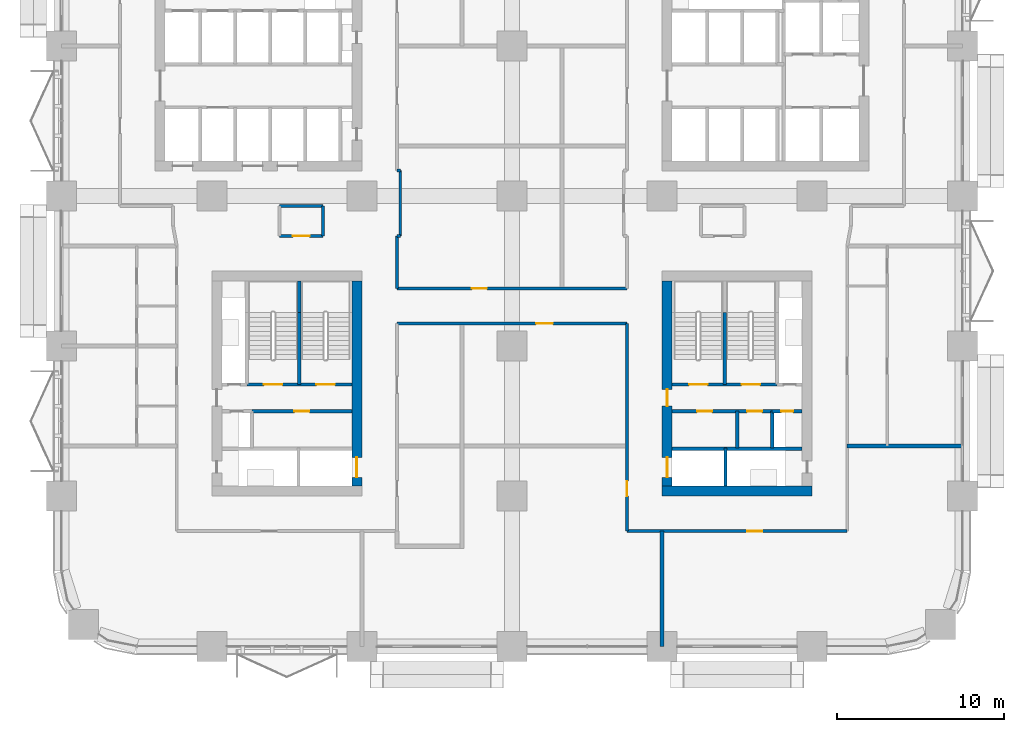
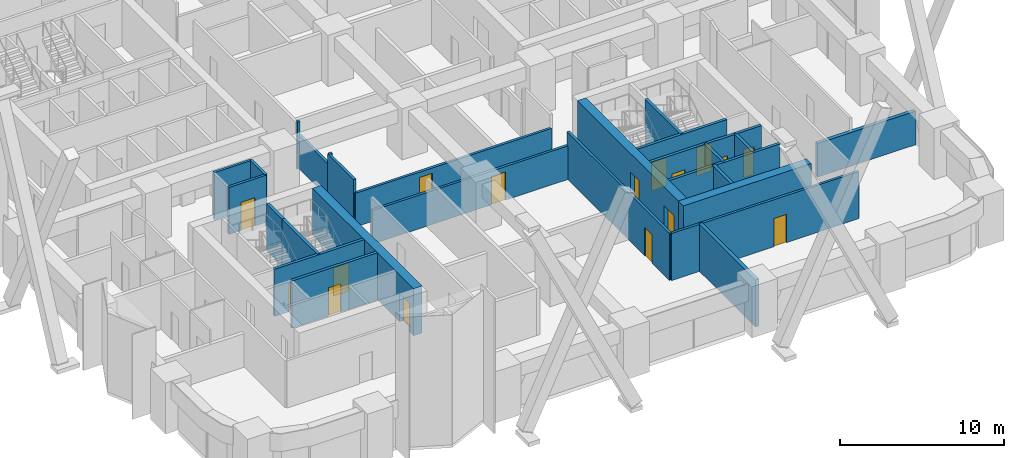
# One storey, part 15 of 23: 28 walls, 16 doors, 16 openings.
"""IFC4 building model written with IfcOpenShell, lengths in metres."""

from ifc_helpers import new_model, si_unit, direction, frame, frame_2d, origin, place, context, subcontext, project, spatial, rectangle, extrude, material, layer, layer_set, type_object, element, fill, save


model = new_model("IFC4")

# Units and contexts
model_context = context("Model", 3, precision=1e-05, world=origin(), true_north=direction((0.0, 1.0)))
body_context = subcontext(model_context, "Body", "Model", "MODEL_VIEW")
ifc_project = project(units=[si_unit("LENGTHUNIT", "METRE"), si_unit("AREAUNIT", "SQUARE_METRE"), si_unit("VOLUMEUNIT", "CUBIC_METRE"), si_unit("PLANEANGLEUNIT", "RADIAN"), si_unit("MASSUNIT", "GRAM", prefix="KILO")], contexts=[model_context])

# Site, building, storey
site_placement = place(None, origin())
site = spatial("IfcSite", under=ifc_project, at=site_placement, CompositionType="ELEMENT")
building_placement = place(site_placement, origin())
building = spatial("IfcBuilding", under=site, at=building_placement, Name="Tessera Arch", CompositionType="ELEMENT")
storey_placement = place(building_placement, frame((0.0, 0.0, 46.199951171875)))
storey = spatial("IfcBuildingStorey", under=building, at=storey_placement, Name="L09", CompositionType="ELEMENT", Elevation=46.199951171875)

# Wall
ifc_material_1 = material(Name="Gypsum board on steel stud", Category="steel")
ifc_layer_1 = layer(ifc_material_1, 0.125)
ifc_layer_set_1 = layer_set([ifc_layer_1], Name="Core partition 125 EI 60")
wall_type_1 = type_object("IfcWallType", Name="Core partition 125 EI 60", PredefinedType="PARTITIONING", material=ifc_layer_set_1)
wall_1_placement = place(storey_placement, frame((40.5, 11.89990234375, 0.0), z_axis=(0.0, 0.0, 1.0), x_axis=(0.0, 1.0, 0.0)))
element("IfcWall", 1, at=wall_1_placement, inside=storey, type_object=wall_type_1, Name="L09 C3 partition wall 4", PredefinedType="PARTITIONING", context=body_context, shape_type="SweptSolid", body=[
    extrude(rectangle(XDim=2.2001953125, YDim=0.199951171875, at=frame_2d((1.10009765625, 0.0))), origin(), (0.0, 0.0, 1.0), 3.5),
])

# Wall, openings, doors
wall_2_placement = place(storey_placement, frame((36.60009765625, 14.10009765625, 0.0), z_axis=(0.0, 0.0, 1.0), x_axis=(1.0, 0.0, 0.0)))
wall_2 = element("IfcWall", 2, at=wall_2_placement, inside=storey, type_object=wall_type_1, Name="L09 C3 partition wall 9", PredefinedType="PARTITIONING", context=body_context, shape_type="SweptSolid", body=[
    extrude(rectangle(XDim=6.0, YDim=0.199951171875, at=frame_2d((3.0, 0.0))), origin(), (0.0, 0.0, 1.0), 3.5),
])
opening_1_placement = place(wall_2_placement, frame((1.5, 0.0, 0.0)))
opening_1 = element("IfcOpeningElement", 3, at=opening_1_placement, cuts=wall_2, Name="Opening L09-C40", PredefinedType="OPENING", context=body_context, shape_type="SweptSolid", body=[
    extrude(rectangle(XDim=0.89990234375, YDim=2.10009765625, at=frame_2d((0.449951171875, 1.050048828125))), frame((0.0, 0.10986328125, 0.0), z_axis=(0.0, -1.0, 0.0), x_axis=(1.0, 0.0, 0.0)), (0.0, 0.0, 1.0), 0.219970703125),
])
opening_2_placement = place(wall_2_placement, frame((4.5, 0.0, 0.0)))
opening_2 = element("IfcOpeningElement", 4, at=opening_2_placement, cuts=wall_2, Name="Opening L09-C41", PredefinedType="OPENING", context=body_context, shape_type="SweptSolid", body=[
    extrude(rectangle(XDim=0.89990234375, YDim=2.10009765625, at=frame_2d((0.449951171875, 1.050048828125))), frame((0.0, 0.10986328125, 0.0), z_axis=(0.0, -1.0, 0.0), x_axis=(1.0, 0.0, 0.0)), (0.0, 0.0, 1.0), 0.219970703125),
])
ifc_material_2 = material(Name="Steel door leaf", Category="steel")
door_type_1 = type_object("IfcDoorType", Name="Store door FD30S 900 x 2100", OperationType="SINGLE_SWING_LEFT", PredefinedType="DOOR", material=ifc_material_2)
door_1_placement = place(opening_1_placement, origin())
door_1 = element("IfcDoor", 5, at=door_1_placement, inside=storey, type_object=door_type_1, Name="L09 C3 door 8 C40 type D09", OperationType="SINGLE_SWING_LEFT", OverallHeight=2.10009765625, OverallWidth=0.89990234375, PredefinedType="DOOR", context=body_context, shape_type="SweptSolid", body=[
    extrude(rectangle(XDim=0.89990234375, YDim=2.10009765625, at=frame_2d((0.449951171875, 1.050048828125))), frame((0.0, 0.02490234375, 0.0), z_axis=(0.0, -1.0, 0.0), x_axis=(1.0, 0.0, 0.0)), (0.0, 0.0, 1.0), 0.050048828125),
])
fill(opening_1, door_1)
door_2_placement = place(opening_2_placement, origin())
door_2 = element("IfcDoor", 6, at=door_2_placement, inside=storey, type_object=door_type_1, Name="L09 C3 door 9 C41 type D09", OperationType="SINGLE_SWING_RIGHT", OverallHeight=2.10009765625, OverallWidth=0.89990234375, PredefinedType="DOOR", context=body_context, shape_type="SweptSolid", body=[
    extrude(rectangle(XDim=0.89990234375, YDim=2.10009765625, at=frame_2d((0.449951171875, 1.050048828125))), frame((0.0, 0.02490234375, 0.0), z_axis=(0.0, -1.0, 0.0), x_axis=(1.0, 0.0, 0.0)), (0.0, 0.0, 1.0), 0.050048828125),
])
fill(opening_2, door_2)

# Wall, opening, door
wall_3_placement = place(storey_placement, frame((11.39990234375, 14.10009765625, 0.0), z_axis=(0.0, 0.0, 1.0), x_axis=(1.0, 0.0, 0.0)))
wall_3 = element("IfcWall", 7, at=wall_3_placement, inside=storey, type_object=wall_type_1, Name="L09 C4 partition wall 8", PredefinedType="PARTITIONING", context=body_context, shape_type="SweptSolid", body=[
    extrude(rectangle(XDim=6.0, YDim=0.199951171875, at=frame_2d((3.0, 0.0))), origin(), (0.0, 0.0, 1.0), 3.5),
])
opening_3_placement = place(wall_3_placement, frame((2.550048828125, 0.0, 0.0)))
opening_3 = element("IfcOpeningElement", 8, at=opening_3_placement, cuts=wall_3, Name="Opening L09-C49", PredefinedType="OPENING", context=body_context, shape_type="SweptSolid", body=[
    extrude(rectangle(XDim=0.89990234375, YDim=2.10009765625, at=frame_2d((0.449951171875, 1.050048828125))), frame((0.0, 0.10986328125, 0.0), z_axis=(0.0, -1.0, 0.0), x_axis=(1.0, 0.0, 0.0)), (0.0, 0.0, 1.0), 0.219970703125),
])
door_3_placement = place(opening_3_placement, origin())
door_3 = element("IfcDoor", 9, at=door_3_placement, inside=storey, type_object=door_type_1, Name="L09 C4 door 8 C49 type D09", OperationType="SINGLE_SWING_RIGHT", OverallHeight=2.10009765625, OverallWidth=0.89990234375, PredefinedType="DOOR", context=body_context, shape_type="SweptSolid", body=[
    extrude(rectangle(XDim=0.89990234375, YDim=2.10009765625, at=frame_2d((0.449951171875, 1.050048828125))), frame((0.0, 0.02490234375, 0.0), z_axis=(0.0, -1.0, 0.0), x_axis=(1.0, 0.0, 0.0)), (0.0, 0.0, 1.0), 0.050048828125),
])
fill(opening_3, door_3)

# Wall
ifc_material_3 = material(Name="Concrete C70/85", Category="concrete")
ifc_layer_2 = layer(ifc_material_3, 0.60009765625)
ifc_layer_set_2 = layer_set([ifc_layer_2], Name="Core shell wall 600 C70-85")
wall_type_2 = type_object("IfcWallType", Name="Core shell wall 600 C70-85", PredefinedType="SHEAR", material=ifc_layer_set_2)
wall_4_placement = place(storey_placement, frame((36.0, 9.300048828125, 0.0), z_axis=(0.0, 0.0, 1.0), x_axis=(1.0, 0.0, 0.0)))
element("IfcWall", 10, at=wall_4_placement, inside=storey, type_object=wall_type_2, Name="L09 C3 core wall S", PredefinedType="SHEAR", context=body_context, shape_type="SweptSolid", body=[
    extrude(rectangle(XDim=9.0, YDim=0.60009765625, at=frame_2d((4.5, 0.0))), origin(), (0.0, 0.0, 1.0), 3.5),
])

# Wall, openings, doors
wall_5_placement = place(storey_placement, frame((36.300048828125, 9.60009765625, 0.0), z_axis=(0.0, 0.0, 1.0), x_axis=(0.0, 1.0, 0.0)))
wall_5 = element("IfcWall", 11, at=wall_5_placement, inside=storey, type_object=wall_type_2, Name="L09 C3 core wall W", PredefinedType="SHEAR", context=body_context, shape_type="SweptSolid", body=[
    extrude(rectangle(XDim=12.2998046875, YDim=0.60009765625, at=frame_2d((6.14990234375, 0.0))), origin(), (0.0, 0.0, 1.0), 3.5),
])
opening_4_placement = place(wall_5_placement, frame((0.52490234375, 0.0, 0.0)))
opening_4 = element("IfcOpeningElement", 12, at=opening_4_placement, cuts=wall_5, Name="Opening L09-C33", PredefinedType="OPENING", context=body_context, shape_type="SweptSolid", body=[
    extrude(rectangle(XDim=1.199951171875, YDim=2.10009765625, at=frame_2d((0.60009765625, 1.050048828125))), frame((0.0, 0.31005859375, 0.0), z_axis=(0.0, -1.0, 0.0), x_axis=(1.0, 0.0, 0.0)), (0.0, 0.0, 1.0), 0.6201171875),
])
opening_5_placement = place(wall_5_placement, frame((4.800048828125, 0.0, 0.0)))
opening_5 = element("IfcOpeningElement", 13, at=opening_5_placement, cuts=wall_5, Name="Opening L09-C39", PredefinedType="OPENING", context=body_context, shape_type="SweptSolid", body=[
    extrude(rectangle(XDim=1.0, YDim=2.10009765625, at=frame_2d((0.5, 1.050048828125))), frame((0.0, 0.31005859375, 0.0), z_axis=(0.0, -1.0, 0.0), x_axis=(1.0, 0.0, 0.0)), (0.0, 0.0, 1.0), 0.6201171875),
])
ifc_material_4 = material(Name="Steel door leaf", Category="steel")
door_type_2 = type_object("IfcDoorType", Name="Corridor door FD60 1000 x 2100", OperationType="SINGLE_SWING_LEFT", PredefinedType="DOOR", material=ifc_material_4)
door_4_placement = place(opening_5_placement, origin())
door_4 = element("IfcDoor", 14, at=door_4_placement, inside=storey, type_object=door_type_2, Name="L09 C3 door 7 C39 type D12", OperationType="SINGLE_SWING_LEFT", OverallHeight=2.10009765625, OverallWidth=1.0, PredefinedType="DOOR", context=body_context, shape_type="SweptSolid", body=[
    extrude(rectangle(XDim=1.0, YDim=2.10009765625, at=frame_2d((0.5, 1.050048828125))), frame((0.0, 0.02490234375, 0.0), z_axis=(0.0, -1.0, 0.0), x_axis=(1.0, 0.0, 0.0)), (0.0, 0.0, 1.0), 0.050048828125),
])
fill(opening_5, door_4)
ifc_material_5 = material(Name="Stainless steel AISI 304", Category="steel")
door_type_3 = type_object("IfcDoorType", Name="Sliding landing door 1200 x 2100", OperationType="SLIDING_TO_LEFT", PredefinedType="DOOR", material=ifc_material_5)
door_5_placement = place(opening_4_placement, origin())
door_5 = element("IfcDoor", 15, at=door_5_placement, inside=storey, type_object=door_type_3, Name="L09 SV1 lift landing door C33 type LD", OperationType="SLIDING_TO_LEFT", OverallHeight=2.10009765625, OverallWidth=1.199951171875, PredefinedType="DOOR", context=body_context, shape_type="SweptSolid", body=[
    extrude(rectangle(XDim=1.199951171875, YDim=2.10009765625, at=frame_2d((0.60009765625, 1.050048828125))), frame((0.0, 0.02490234375, 0.0), z_axis=(0.0, -1.0, 0.0), x_axis=(1.0, 0.0, 0.0)), (0.0, 0.0, 1.0), 0.050048828125),
])
fill(opening_4, door_5)

# Wall, opening, door
wall_6_placement = place(storey_placement, frame((17.699951171875, 9.60009765625, 0.0), z_axis=(0.0, 0.0, 1.0), x_axis=(0.0, 1.0, 0.0)))
wall_6 = element("IfcWall", 16, at=wall_6_placement, inside=storey, type_object=wall_type_2, Name="L09 C4 core wall E", PredefinedType="SHEAR", context=body_context, shape_type="SweptSolid", body=[
    extrude(rectangle(XDim=12.2998046875, YDim=0.60009765625, at=frame_2d((6.14990234375, 0.0))), origin(), (0.0, 0.0, 1.0), 3.5),
])
opening_6_placement = place(wall_6_placement, frame((0.52490234375, 0.0, 0.0)))
opening_6 = element("IfcOpeningElement", 17, at=opening_6_placement, cuts=wall_6, Name="Opening L09-C42", PredefinedType="OPENING", context=body_context, shape_type="SweptSolid", body=[
    extrude(rectangle(XDim=1.199951171875, YDim=2.10009765625, at=frame_2d((0.60009765625, 1.050048828125))), frame((0.0, 0.31005859375, 0.0), z_axis=(0.0, -1.0, 0.0), x_axis=(1.0, 0.0, 0.0)), (0.0, 0.0, 1.0), 0.6201171875),
])
door_6_placement = place(opening_6_placement, origin())
door_6 = element("IfcDoor", 18, at=door_6_placement, inside=storey, type_object=door_type_3, Name="L09 SV3 lift landing door C42 type LD", OperationType="SLIDING_TO_LEFT", OverallHeight=2.10009765625, OverallWidth=1.199951171875, PredefinedType="DOOR", context=body_context, shape_type="SweptSolid", body=[
    extrude(rectangle(XDim=1.199951171875, YDim=2.10009765625, at=frame_2d((0.60009765625, 1.050048828125))), frame((0.0, 0.02490234375, 0.0), z_axis=(0.0, -1.0, 0.0), x_axis=(1.0, 0.0, 0.0)), (0.0, 0.0, 1.0), 0.050048828125),
])
fill(opening_6, door_6)

ifc_material_6 = material(Name="Gypsum board on deep steel stud with mineral wool", Category="steel")
ifc_layer_3 = layer(ifc_material_6, 0.175048828125)
ifc_layer_set_3 = layer_set([ifc_layer_3], Name="Corridor wall 175 EI 60")
wall_type_3 = type_object("IfcWallType", Name="Corridor wall 175 EI 60", PredefinedType="PARTITIONING", material=ifc_layer_set_3)
wall_7_placement = place(storey_placement, frame((33.89990234375, 6.89990234375, 0.0), z_axis=(0.0, 0.0, 1.0), x_axis=(1.0, 0.0, 0.0)))
wall_7 = element("IfcWall", 19, at=wall_7_placement, inside=storey, type_object=wall_type_3, Name="L09 partition 2", PredefinedType="PARTITIONING", context=body_context, shape_type="SweptSolid", body=[
    extrude(rectangle(XDim=13.2001953125, YDim=0.175048828125, at=frame_2d((6.60009765625, 0.0))), origin(), (0.0, 0.0, 1.0), 3.5),
])
opening_7_placement = place(wall_7_placement, frame((7.199951171875, 0.0, 0.0)))
opening_7 = element("IfcOpeningElement", 20, at=opening_7_placement, cuts=wall_7, Name="Opening L09-D002", PredefinedType="OPENING", context=body_context, shape_type="SweptSolid", body=[
    extrude(rectangle(XDim=0.89990234375, YDim=2.10009765625, at=frame_2d((0.449951171875, 1.050048828125))), frame((0.0, 0.097412109375, 0.0), z_axis=(0.0, -1.0, 0.0), x_axis=(1.0, 0.0, 0.0)), (0.0, 0.0, 1.0), 0.195068359375),
])
ifc_material_7 = material(Name="Timber door leaf", Category="wood")
door_type_4 = type_object("IfcDoorType", Name="Room door 900 x 2100", OperationType="SINGLE_SWING_LEFT", PredefinedType="DOOR", material=ifc_material_7)
door_7_placement = place(opening_7_placement, origin())
door_7 = element("IfcDoor", 21, at=door_7_placement, inside=storey, type_object=door_type_4, Name="L09 door D002 type D01", OperationType="SINGLE_SWING_LEFT", OverallHeight=2.10009765625, OverallWidth=0.89990234375, PredefinedType="DOOR", context=body_context, shape_type="SweptSolid", body=[
    extrude(rectangle(XDim=0.89990234375, YDim=2.10009765625, at=frame_2d((0.449951171875, 1.050048828125))), frame((0.0, 0.02490234375, 0.0), z_axis=(0.0, -1.0, 0.0), x_axis=(1.0, 0.0, 0.0)), (0.0, 0.0, 1.0), 0.050048828125),
])
fill(opening_7, door_7)

wall_8_placement = place(storey_placement, frame((20.10009765625, 19.35009765625, 0.0), z_axis=(0.0, 0.0, 1.0), x_axis=(1.0, 0.0, 0.0)))
wall_8 = element("IfcWall", 22, at=wall_8_placement, inside=storey, type_object=wall_type_3, Name="L09 partition 3", PredefinedType="PARTITIONING", context=body_context, shape_type="SweptSolid", body=[
    extrude(rectangle(XDim=13.7998046875, YDim=0.175048828125, at=frame_2d((6.89990234375, 0.0))), origin(), (0.0, 0.0, 1.0), 2.5),
])
opening_8_placement = place(wall_8_placement, frame((8.35009765625, 0.0, 0.0)))
opening_8 = element("IfcOpeningElement", 23, at=opening_8_placement, cuts=wall_8, Name="Opening L09-D009", PredefinedType="OPENING", context=body_context, shape_type="SweptSolid", body=[
    extrude(rectangle(XDim=1.0, YDim=2.10009765625, at=frame_2d((0.5, 1.050048828125))), frame((0.0, 0.097412109375, 0.0), z_axis=(0.0, -1.0, 0.0), x_axis=(1.0, 0.0, 0.0)), (0.0, 0.0, 1.0), 0.195068359375),
])
ifc_material_8 = material(Name="Fire-rated door leaf")
door_type_5 = type_object("IfcDoorType", Name="Entrance door FD30S 1000 x 2100", OperationType="SINGLE_SWING_LEFT", PredefinedType="DOOR", material=ifc_material_8)
door_8_placement = place(opening_8_placement, origin())
door_8 = element("IfcDoor", 24, at=door_8_placement, inside=storey, type_object=door_type_5, Name="L09 door D009 type D03", OperationType="SINGLE_SWING_RIGHT", OverallHeight=2.10009765625, OverallWidth=1.0, PredefinedType="DOOR", context=body_context, shape_type="SweptSolid", body=[
    extrude(rectangle(XDim=1.0, YDim=2.10009765625, at=frame_2d((0.5, 1.050048828125))), frame((0.0, 0.02490234375, 0.0), z_axis=(0.0, -1.0, 0.0), x_axis=(1.0, 0.0, 0.0)), (0.0, 0.0, 1.0), 0.050048828125),
])
fill(opening_8, door_8)

wall_9_placement = place(storey_placement, frame((20.10009765625, 21.449951171875, 0.0), z_axis=(0.0, 0.0, 1.0), x_axis=(1.0, 0.0, 0.0)))
wall_9 = element("IfcWall", 25, at=wall_9_placement, inside=storey, type_object=wall_type_3, Name="L09 partition 4", PredefinedType="PARTITIONING", context=body_context, shape_type="SweptSolid", body=[
    extrude(rectangle(XDim=13.7998046875, YDim=0.175048828125, at=frame_2d((6.89990234375, 0.0))), origin(), (0.0, 0.0, 1.0), 2.5),
])
opening_9_placement = place(wall_9_placement, frame((4.5, 0.0, 0.0)))
opening_9 = element("IfcOpeningElement", 26, at=opening_9_placement, cuts=wall_9, Name="Opening L09-D018", PredefinedType="OPENING", context=body_context, shape_type="SweptSolid", body=[
    extrude(rectangle(XDim=0.89990234375, YDim=2.10009765625, at=frame_2d((0.449951171875, 1.050048828125))), frame((0.0, 0.097412109375, 0.0), z_axis=(0.0, -1.0, 0.0), x_axis=(1.0, 0.0, 0.0)), (0.0, 0.0, 1.0), 0.195068359375),
])
door_9_placement = place(opening_9_placement, origin())
door_9 = element("IfcDoor", 27, at=door_9_placement, inside=storey, type_object=door_type_4, Name="L09 door D018 type D01", OperationType="SINGLE_SWING_RIGHT", OverallHeight=2.10009765625, OverallWidth=0.89990234375, PredefinedType="DOOR", context=body_context, shape_type="SweptSolid", body=[
    extrude(rectangle(XDim=0.89990234375, YDim=2.10009765625, at=frame_2d((0.449951171875, 1.050048828125))), frame((0.0, 0.02490234375, 0.0), z_axis=(0.0, -1.0, 0.0), x_axis=(1.0, 0.0, 0.0)), (0.0, 0.0, 1.0), 0.050048828125),
])
fill(opening_9, door_9)

# Wall
wall_10_placement = place(storey_placement, frame((20.10009765625, 24.590087890625, 0.0), z_axis=(0.0, 0.0, 1.0), x_axis=(1.0, 0.0, 0.0)))
element("IfcWall", 28, at=wall_10_placement, inside=storey, type_object=wall_type_3, Name="L09 partition 5", PredefinedType="PARTITIONING", context=body_context, shape_type="SweptSolid", body=[
    extrude(rectangle(XDim=0.199951171875, YDim=0.175048828125, at=frame_2d((0.10009765625, 0.0))), origin(), (0.0, 0.0, 1.0), 3.5),
])

# Wall, opening, door
wall_11_placement = place(storey_placement, frame((13.050048828125, 24.60009765625, 0.0), z_axis=(0.0, 0.0, 1.0), x_axis=(1.0, 0.0, 0.0)))
wall_11 = element("IfcWall", 29, at=wall_11_placement, inside=storey, type_object=wall_type_3, Name="L09 partition 7", PredefinedType="PARTITIONING", context=body_context, shape_type="SweptSolid", body=[
    extrude(rectangle(XDim=2.6298828125, YDim=0.175048828125, at=frame_2d((1.31494140625, 0.0))), origin(), (0.0, 0.0, 1.0), 3.5),
])
opening_10_placement = place(wall_11_placement, frame((0.81494140625, 0.0, 0.0)))
opening_10 = element("IfcOpeningElement", 30, at=opening_10_placement, cuts=wall_11, Name="Opening L09-D016", PredefinedType="OPENING", context=body_context, shape_type="SweptSolid", body=[
    extrude(rectangle(XDim=1.0, YDim=2.10009765625, at=frame_2d((0.5, 1.050048828125))), frame((0.0, 0.097412109375, 0.0), z_axis=(0.0, -1.0, 0.0), x_axis=(1.0, 0.0, 0.0)), (0.0, 0.0, 1.0), 0.195068359375),
])
door_10_placement = place(opening_10_placement, origin())
door_10 = element("IfcDoor", 31, at=door_10_placement, inside=storey, type_object=door_type_5, Name="L09 door D016 type D03", OperationType="SINGLE_SWING_RIGHT", OverallHeight=2.10009765625, OverallWidth=1.0, PredefinedType="DOOR", context=body_context, shape_type="SweptSolid", body=[
    extrude(rectangle(XDim=1.0, YDim=2.10009765625, at=frame_2d((0.5, 1.050048828125))), frame((0.0, 0.02490234375, 0.0), z_axis=(0.0, -1.0, 0.0), x_axis=(1.0, 0.0, 0.0)), (0.0, 0.0, 1.0), 0.050048828125),
])
fill(opening_10, door_10)

# Walls
wall_12_placement = place(storey_placement, frame((13.050048828125, 26.39990234375, 0.0), z_axis=(0.0, 0.0, 1.0), x_axis=(1.0, 0.0, 0.0)))
element("IfcWall", 32, at=wall_12_placement, inside=storey, type_object=wall_type_3, Name="L09 partition 10", PredefinedType="PARTITIONING", context=body_context, shape_type="SweptSolid", body=[
    extrude(rectangle(XDim=2.6298828125, YDim=0.175048828125, at=frame_2d((1.31494140625, 0.0))), origin(), (0.0, 0.0, 1.0), 3.5),
])
wall_13_placement = place(storey_placement, frame((20.10009765625, 28.52001953125, 0.0), z_axis=(0.0, 0.0, 1.0), x_axis=(1.0, 0.0, 0.0)))
element("IfcWall", 33, at=wall_13_placement, inside=storey, type_object=wall_type_3, Name="L09 partition 13", PredefinedType="PARTITIONING", context=body_context, shape_type="SweptSolid", body=[
    extrude(rectangle(XDim=0.199951171875, YDim=0.175048828125, at=frame_2d((0.10009765625, 0.0))), origin(), (0.0, 0.0, 1.0), 3.5),
])
wall_14_placement = place(storey_placement, frame((15.679931640625, 24.60009765625, 0.0), z_axis=(0.0, 0.0, 1.0), x_axis=(0.0, 1.0, 0.0)))
element("IfcWall", 34, at=wall_14_placement, inside=storey, type_object=wall_type_3, Name="L09 partition 23", PredefinedType="PARTITIONING", context=body_context, shape_type="SweptSolid", body=[
    extrude(rectangle(XDim=1.7998046875, YDim=0.175048828125, at=frame_2d((0.89990234375, 0.0))), origin(), (0.0, 0.0, 1.0), 3.5),
])
wall_15_placement = place(storey_placement, frame((20.10009765625, 21.449951171875, 0.0), z_axis=(0.0, 0.0, 1.0), x_axis=(0.0, 1.0, 0.0)))
element("IfcWall", 35, at=wall_15_placement, inside=storey, type_object=wall_type_3, Name="L09 partition 25", PredefinedType="PARTITIONING", context=body_context, shape_type="SweptSolid", body=[
    extrude(rectangle(XDim=3.14013671875, YDim=0.175048828125, at=frame_2d((1.570068359375, 0.0))), origin(), (0.0, 0.0, 1.0), 3.5),
])
wall_16_placement = place(storey_placement, frame((20.300048828125, 24.590087890625, 0.0), z_axis=(0.0, 0.0, 1.0), x_axis=(0.0, 1.0, 0.0)))
element("IfcWall", 36, at=wall_16_placement, inside=storey, type_object=wall_type_3, Name="L09 partition 28", PredefinedType="PARTITIONING", context=body_context, shape_type="SweptSolid", body=[
    extrude(rectangle(XDim=3.929931640625, YDim=0.175048828125, at=frame_2d((1.96484375, 0.0))), origin(), (0.0, 0.0, 1.0), 2.5),
])

# Wall, opening, door
wall_17_placement = place(storey_placement, frame((33.89990234375, 6.89990234375, 0.0), z_axis=(0.0, 0.0, 1.0), x_axis=(0.0, 1.0, 0.0)))
wall_17 = element("IfcWall", 37, at=wall_17_placement, inside=storey, type_object=wall_type_3, Name="L09 partition 30", PredefinedType="PARTITIONING", context=body_context, shape_type="SweptSolid", body=[
    extrude(rectangle(XDim=12.4501953125, YDim=0.175048828125, at=frame_2d((6.22509765625, 0.0))), origin(), (0.0, 0.0, 1.0), 3.5),
])
opening_11_placement = place(wall_17_placement, frame((2.10009765625, 0.0, 0.0)))
opening_11 = element("IfcOpeningElement", 38, at=opening_11_placement, cuts=wall_17, Name="Opening L09-D003", PredefinedType="OPENING", context=body_context, shape_type="SweptSolid", body=[
    extrude(rectangle(XDim=0.89990234375, YDim=2.10009765625, at=frame_2d((0.449951171875, 1.050048828125))), frame((0.0, 0.097412109375, 0.0), z_axis=(0.0, -1.0, 0.0), x_axis=(1.0, 0.0, 0.0)), (0.0, 0.0, 1.0), 0.195068359375),
])
door_11_placement = place(opening_11_placement, origin())
door_11 = element("IfcDoor", 39, at=door_11_placement, inside=storey, type_object=door_type_4, Name="L09 door D003 type D01", OperationType="SINGLE_SWING_LEFT", OverallHeight=2.10009765625, OverallWidth=0.89990234375, PredefinedType="DOOR", context=body_context, shape_type="SweptSolid", body=[
    extrude(rectangle(XDim=0.89990234375, YDim=2.10009765625, at=frame_2d((0.449951171875, 1.050048828125))), frame((0.0, 0.02490234375, 0.0), z_axis=(0.0, -1.0, 0.0), x_axis=(1.0, 0.0, 0.0)), (0.0, 0.0, 1.0), 0.050048828125),
])
fill(opening_11, door_11)

# Walls
ifc_material_9 = material(Name="Double gypsum board on twin steel stud with acoustic mineral wool", Category="steel")
ifc_layer_4 = layer(ifc_material_9, 0.25)
ifc_layer_set_4 = layer_set([ifc_layer_4], Name="Party wall 250 EI 60")
wall_type_4 = type_object("IfcWallType", Name="Party wall 250 EI 60", PredefinedType="PARTITIONING", material=ifc_layer_set_4)
wall_18_placement = place(storey_placement, frame((47.10009765625, 12.0, 0.0), z_axis=(0.0, 0.0, 1.0), x_axis=(1.0, 0.0, 0.0)))
element("IfcWall", 40, at=wall_18_placement, inside=storey, type_object=wall_type_4, Name="L09 partition 45", PredefinedType="PARTITIONING", context=body_context, shape_type="SweptSolid", body=[
    extrude(rectangle(XDim=6.89990234375, YDim=0.25, at=frame_2d((3.449951171875, 0.0))), origin(), (0.0, 0.0, 1.0), 2.5),
])
wall_19_placement = place(storey_placement, frame((36.0, 0.0, 0.0), z_axis=(0.0, 0.0, 1.0), x_axis=(0.0, 1.0, 0.0)))
element("IfcWall", 41, at=wall_19_placement, inside=storey, type_object=wall_type_4, Name="L09 partition 63", PredefinedType="PARTITIONING", context=body_context, shape_type="SweptSolid", body=[
    extrude(rectangle(XDim=6.89990234375, YDim=0.25, at=frame_2d((3.449951171875, 0.0))), origin(), (0.0, 0.0, 1.0), 3.5),
])
ifc_material_10 = material(Name="Concrete C40/50", Category="concrete")
ifc_layer_5 = layer(ifc_material_10, 0.199951171875)
ifc_layer_set_5 = layer_set([ifc_layer_5], Name="Shaft wall 200 EI 120")
wall_type_5 = type_object("IfcWallType", Name="Shaft wall 200 EI 120", PredefinedType="SOLIDWALL", material=ifc_layer_set_5)
wall_20_placement = place(storey_placement, frame((39.800048828125, 9.60009765625, 0.0), z_axis=(0.0, 0.0, 1.0), x_axis=(0.0, 1.0, 0.0)))
element("IfcWall", 42, at=wall_20_placement, inside=storey, type_object=wall_type_5, Name="L09 C3 shaft wall 3", PredefinedType="SOLIDWALL", context=body_context, shape_type="SweptSolid", body=[
    extrude(rectangle(XDim=2.2998046875, YDim=0.199951171875, at=frame_2d((1.14990234375, 0.0))), origin(), (0.0, 0.0, 1.0), 3.5),
])
wall_21_placement = place(storey_placement, frame((42.60009765625, 11.89990234375, 0.0), z_axis=(0.0, 0.0, 1.0), x_axis=(0.0, 1.0, 0.0)))
element("IfcWall", 43, at=wall_21_placement, inside=storey, type_object=wall_type_5, Name="L09 C3 shaft wall 5", PredefinedType="SOLIDWALL", context=body_context, shape_type="SweptSolid", body=[
    extrude(rectangle(XDim=2.2001953125, YDim=0.199951171875, at=frame_2d((1.10009765625, 0.0))), origin(), (0.0, 0.0, 1.0), 3.5),
])
wall_22_placement = place(storey_placement, frame((36.60009765625, 11.85009765625, 0.0), z_axis=(0.0, 0.0, 1.0), x_axis=(1.0, 0.0, 0.0)))
element("IfcWall", 44, at=wall_22_placement, inside=storey, type_object=wall_type_5, Name="L09 C3 shaft wall 8", PredefinedType="SOLIDWALL", context=body_context, shape_type="SweptSolid", body=[
    extrude(rectangle(XDim=7.7998046875, YDim=0.199951171875, at=frame_2d((3.89990234375, 0.0))), origin(), (0.0, 0.0, 1.0), 3.5),
])

# Wall, opening, door
wall_23_placement = place(storey_placement, frame((42.60009765625, 14.10009765625, 0.0), z_axis=(0.0, 0.0, 1.0), x_axis=(1.0, 0.0, 0.0)))
wall_23 = element("IfcWall", 45, at=wall_23_placement, inside=storey, type_object=wall_type_5, Name="L09 C3 shaft wall 10", PredefinedType="SOLIDWALL", context=body_context, shape_type="SweptSolid", body=[
    extrude(rectangle(XDim=1.7998046875, YDim=0.199951171875, at=frame_2d((0.89990234375, 0.0))), origin(), (0.0, 0.0, 1.0), 3.5),
])
opening_12_placement = place(wall_23_placement, frame((0.550048828125, 0.0, 0.0)))
opening_12 = element("IfcOpeningElement", 46, at=opening_12_placement, cuts=wall_23, Name="Opening L09-C37", PredefinedType="OPENING", context=body_context, shape_type="SweptSolid", body=[
    extrude(rectangle(XDim=0.699951171875, YDim=2.10009765625, at=frame_2d((0.35009765625, 1.050048828125))), frame((0.0, 0.10986328125, 0.0), z_axis=(0.0, -1.0, 0.0), x_axis=(1.0, 0.0, 0.0)), (0.0, 0.0, 1.0), 0.219970703125),
])
ifc_material_11 = material(Name="Steel door leaf", Category="steel")
door_type_6 = type_object("IfcDoorType", Name="Service shaft door FD60 700 x 2100", OperationType="SINGLE_SWING_LEFT", PredefinedType="DOOR", material=ifc_material_11)
door_12_placement = place(opening_12_placement, origin())
door_12 = element("IfcDoor", 47, at=door_12_placement, inside=storey, type_object=door_type_6, Name="L09 C3 door 5 C37 type D07", OperationType="SINGLE_SWING_RIGHT", OverallHeight=2.10009765625, OverallWidth=0.699951171875, PredefinedType="DOOR", context=body_context, shape_type="SweptSolid", body=[
    extrude(rectangle(XDim=0.699951171875, YDim=2.10009765625, at=frame_2d((0.35009765625, 1.050048828125))), frame((0.0, 0.02490234375, 0.0), z_axis=(0.0, -1.0, 0.0), x_axis=(1.0, 0.0, 0.0)), (0.0, 0.0, 1.0), 0.050048828125),
])
fill(opening_12, door_12)

# Wall
ifc_material_12 = material(Name="Concrete C40/50", Category="concrete")
ifc_layer_6 = layer(ifc_material_12, 0.199951171875)
ifc_layer_set_6 = layer_set([ifc_layer_6], Name="Stair well wall 200 REI 180")
wall_type_6 = type_object("IfcWallType", Name="Stair well wall 200 REI 180", PredefinedType="SOLIDWALL", material=ifc_layer_set_6)
wall_24_placement = place(storey_placement, frame((39.75, 15.699951171875, 0.0), z_axis=(0.0, 0.0, 1.0), x_axis=(0.0, 1.0, 0.0)))
element("IfcWall", 48, at=wall_24_placement, inside=storey, type_object=wall_type_6, Name="L09 C3 shaft wall 1", PredefinedType="SOLIDWALL", context=body_context, shape_type="SweptSolid", body=[
    extrude(rectangle(XDim=4.300048828125, YDim=0.199951171875, at=frame_2d((2.14990234375, 0.0))), origin(), (0.0, 0.0, 1.0), 3.5),
])

# Wall, openings, doors
wall_25_placement = place(storey_placement, frame((36.60009765625, 15.699951171875, 0.0), z_axis=(0.0, 0.0, 1.0), x_axis=(1.0, 0.0, 0.0)))
wall_25 = element("IfcWall", 49, at=wall_25_placement, inside=storey, type_object=wall_type_6, Name="L09 C3 shaft wall 12", PredefinedType="SOLIDWALL", context=body_context, shape_type="SweptSolid", body=[
    extrude(rectangle(XDim=6.2998046875, YDim=0.199951171875, at=frame_2d((3.14990234375, 0.0))), origin(), (0.0, 0.0, 1.0), 3.5),
])
opening_13_placement = place(wall_25_placement, frame((1.02490234375, 0.0, 0.0)))
opening_13 = element("IfcOpeningElement", 50, at=opening_13_placement, cuts=wall_25, Name="Opening L09-C34", PredefinedType="OPENING", context=body_context, shape_type="SweptSolid", body=[
    extrude(rectangle(XDim=1.10009765625, YDim=2.10009765625, at=frame_2d((0.550048828125, 1.050048828125))), frame((0.0, 0.10986328125, 0.0), z_axis=(0.0, -1.0, 0.0), x_axis=(1.0, 0.0, 0.0)), (0.0, 0.0, 1.0), 0.219970703125),
])
opening_14_placement = place(wall_25_placement, frame((4.175048828125, 0.0, 0.0)))
opening_14 = element("IfcOpeningElement", 51, at=opening_14_placement, cuts=wall_25, Name="Opening L09-C35", PredefinedType="OPENING", context=body_context, shape_type="SweptSolid", body=[
    extrude(rectangle(XDim=1.10009765625, YDim=2.10009765625, at=frame_2d((0.550048828125, 1.050048828125))), frame((0.0, 0.10986328125, 0.0), z_axis=(0.0, -1.0, 0.0), x_axis=(1.0, 0.0, 0.0)), (0.0, 0.0, 1.0), 0.219970703125),
])
ifc_material_13 = material(Name="Steel door leaf", Category="steel")
door_type_7 = type_object("IfcDoorType", Name="Stair door FD60 1100 x 2100", OperationType="SINGLE_SWING_LEFT", PredefinedType="DOOR", material=ifc_material_13)
door_13_placement = place(opening_13_placement, origin())
door_13 = element("IfcDoor", 52, at=door_13_placement, inside=storey, type_object=door_type_7, Name="L09 C3 door 2 C34 type D05", OperationType="SINGLE_SWING_LEFT", OverallHeight=2.10009765625, OverallWidth=1.10009765625, PredefinedType="DOOR", context=body_context, shape_type="SweptSolid", body=[
    extrude(rectangle(XDim=1.10009765625, YDim=2.10009765625, at=frame_2d((0.550048828125, 1.050048828125))), frame((0.0, 0.02490234375, 0.0), z_axis=(0.0, -1.0, 0.0), x_axis=(1.0, 0.0, 0.0)), (0.0, 0.0, 1.0), 0.050048828125),
])
fill(opening_13, door_13)
door_14_placement = place(opening_14_placement, origin())
door_14 = element("IfcDoor", 53, at=door_14_placement, inside=storey, type_object=door_type_7, Name="L09 C3 door 3 C35 type D05", OperationType="SINGLE_SWING_RIGHT", OverallHeight=2.10009765625, OverallWidth=1.10009765625, PredefinedType="DOOR", context=body_context, shape_type="SweptSolid", body=[
    extrude(rectangle(XDim=1.10009765625, YDim=2.10009765625, at=frame_2d((0.550048828125, 1.050048828125))), frame((0.0, 0.02490234375, 0.0), z_axis=(0.0, -1.0, 0.0), x_axis=(1.0, 0.0, 0.0)), (0.0, 0.0, 1.0), 0.050048828125),
])
fill(opening_14, door_14)

# Walls
wall_26_placement = place(storey_placement, frame((14.25, 15.699951171875, 0.0), z_axis=(0.0, 0.0, 1.0), x_axis=(0.0, 1.0, 0.0)))
element("IfcWall", 54, at=wall_26_placement, inside=storey, type_object=wall_type_6, Name="L09 C4 shaft wall 5", PredefinedType="SOLIDWALL", context=body_context, shape_type="SweptSolid", body=[
    extrude(rectangle(XDim=4.300048828125, YDim=0.199951171875, at=frame_2d((2.14990234375, 0.0))), origin(), (0.0, 0.0, 1.0), 3.5),
])
wall_27_placement = place(storey_placement, frame((14.25, 20.0, 0.0), z_axis=(0.0, 0.0, 1.0), x_axis=(0.0, 1.0, 0.0)))
element("IfcWall", 55, at=wall_27_placement, inside=storey, type_object=wall_type_6, Name="L09 C4 shaft wall 6", PredefinedType="SOLIDWALL", context=body_context, shape_type="SweptSolid", body=[
    extrude(rectangle(XDim=1.89990234375, YDim=0.199951171875, at=frame_2d((0.949951171875, 0.0))), origin(), (0.0, 0.0, 1.0), 3.5),
])

# Wall, openings, doors
wall_28_placement = place(storey_placement, frame((11.10009765625, 15.699951171875, 0.0), z_axis=(0.0, 0.0, 1.0), x_axis=(1.0, 0.0, 0.0)))
wall_28 = element("IfcWall", 56, at=wall_28_placement, inside=storey, type_object=wall_type_6, Name="L09 C4 shaft wall 11", PredefinedType="SOLIDWALL", context=body_context, shape_type="SweptSolid", body=[
    extrude(rectangle(XDim=6.2998046875, YDim=0.199951171875, at=frame_2d((3.14990234375, 0.0))), origin(), (0.0, 0.0, 1.0), 3.5),
])
opening_15_placement = place(wall_28_placement, frame((4.175048828125, 0.0, 0.0)))
opening_15 = element("IfcOpeningElement", 57, at=opening_15_placement, cuts=wall_28, Name="Opening L09-C43", PredefinedType="OPENING", context=body_context, shape_type="SweptSolid", body=[
    extrude(rectangle(XDim=1.10009765625, YDim=2.10009765625, at=frame_2d((0.550048828125, 1.050048828125))), frame((0.0, 0.10986328125, 0.0), z_axis=(0.0, -1.0, 0.0), x_axis=(1.0, 0.0, 0.0)), (0.0, 0.0, 1.0), 0.219970703125),
])
opening_16_placement = place(wall_28_placement, frame((1.02490234375, 0.0, 0.0)))
opening_16 = element("IfcOpeningElement", 58, at=opening_16_placement, cuts=wall_28, Name="Opening L09-C44", PredefinedType="OPENING", context=body_context, shape_type="SweptSolid", body=[
    extrude(rectangle(XDim=1.10009765625, YDim=2.10009765625, at=frame_2d((0.550048828125, 1.050048828125))), frame((0.0, 0.10986328125, 0.0), z_axis=(0.0, -1.0, 0.0), x_axis=(1.0, 0.0, 0.0)), (0.0, 0.0, 1.0), 0.219970703125),
])
door_15_placement = place(opening_15_placement, origin())
door_15 = element("IfcDoor", 59, at=door_15_placement, inside=storey, type_object=door_type_7, Name="L09 C4 door 2 C43 type D05", OperationType="SINGLE_SWING_RIGHT", OverallHeight=2.10009765625, OverallWidth=1.10009765625, PredefinedType="DOOR", context=body_context, shape_type="SweptSolid", body=[
    extrude(rectangle(XDim=1.10009765625, YDim=2.10009765625, at=frame_2d((0.550048828125, 1.050048828125))), frame((0.0, 0.02490234375, 0.0), z_axis=(0.0, -1.0, 0.0), x_axis=(1.0, 0.0, 0.0)), (0.0, 0.0, 1.0), 0.050048828125),
])
fill(opening_15, door_15)
door_16_placement = place(opening_16_placement, origin())
door_16 = element("IfcDoor", 60, at=door_16_placement, inside=storey, type_object=door_type_7, Name="L09 C4 door 3 C44 type D05", OperationType="SINGLE_SWING_LEFT", OverallHeight=2.10009765625, OverallWidth=1.10009765625, PredefinedType="DOOR", context=body_context, shape_type="SweptSolid", body=[
    extrude(rectangle(XDim=1.10009765625, YDim=2.10009765625, at=frame_2d((0.550048828125, 1.050048828125))), frame((0.0, 0.02490234375, 0.0), z_axis=(0.0, -1.0, 0.0), x_axis=(1.0, 0.0, 0.0)), (0.0, 0.0, 1.0), 0.050048828125),
])
fill(opening_16, door_16)

save(model, "model.ifc")
